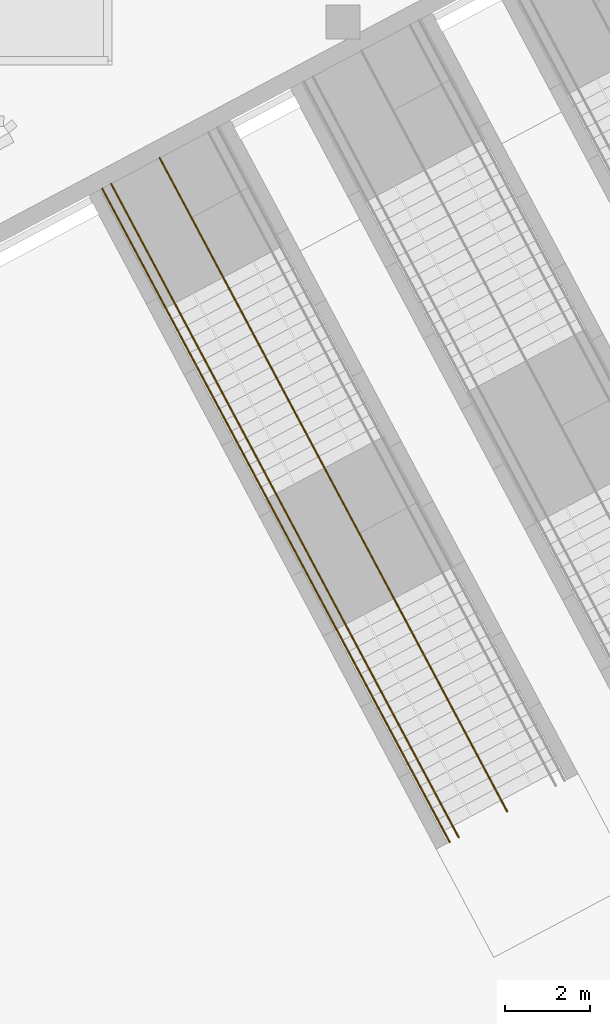
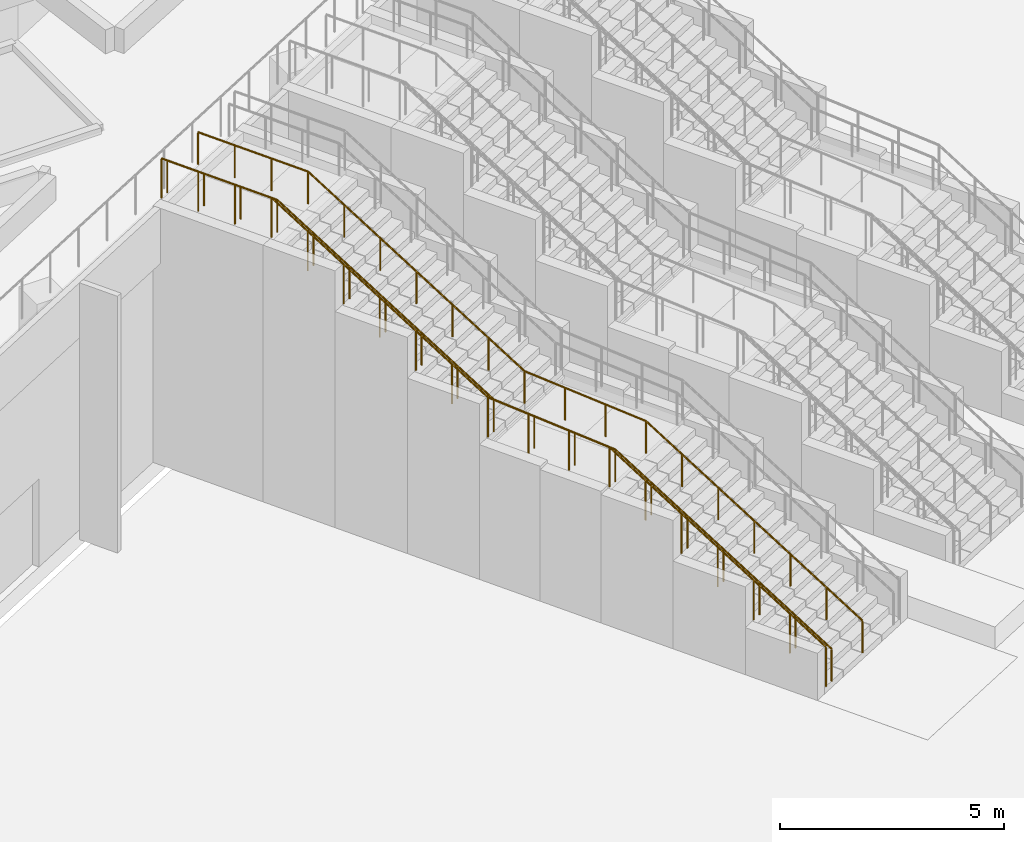
# One storey, part 46 of 57: 3 railings.
"""IFC4 building model written with IfcOpenShell, lengths in metres."""

import ifcopenshell
import ifcopenshell.guid

model = None  # the IFC model being written
_history = None  # IfcOwnerHistory: only IFC2X3 demands one
_inside = {}  # id of a spatial element -> (the spatial element, [elements in it])
_under = {}  # id of a project, library or spatial element -> (it, [spatial elements below it])
_declared = {}  # id of a project -> (the project, [libraries it declares])
_typed = {}  # id of a type object -> (the type object, [elements of that type])
_made_of = {}  # id of a material, layer set ... -> (it, [elements and type objects made of it])


def new_model(schema):
    """Start an empty IFC model of exactly this schema.

    Asked for "IFC4X3", IfcOpenShell would pick the latest addendum, in which some entities
    have other attributes; the version numbers below select the first issue.
    IFC2X3 requires an IfcOwnerHistory on every rooted entity: one is made here for all.
    """
    global model, _history
    if schema == "IFC4X3":
        model = ifcopenshell.file(schema_version=(4, 3, 0, 0))
    else:
        model = ifcopenshell.file(schema=schema)
    _inside.clear()
    _under.clear()
    _declared.clear()
    _typed.clear()
    _made_of.clear()
    _history = None
    if model.schema == "IFC2X3":
        org = make("IfcOrganization", Name="unknown")
        user = make(
            "IfcPersonAndOrganization",
            ThePerson=make("IfcPerson", FamilyName="unknown"),
            TheOrganization=org,
        )
        app = make(
            "IfcApplication",
            ApplicationDeveloper=org,
            Version="unknown",
            ApplicationFullName="unknown",
            ApplicationIdentifier="unknown",
        )
        _history = make(
            "IfcOwnerHistory",
            OwningUser=user,
            OwningApplication=app,
            ChangeAction="ADDED",
            CreationDate=0,
        )
    return model


def make(cls, **values):
    """One entity of the class cls with the attributes given. An attribute that is None is left unset."""
    return model.create_entity(
        cls, **{name: value for name, value in values.items() if value is not None}
    )


def rooted(cls, **values):
    """An entity with a GlobalId (a new one), such as an element, a storey or a relation."""
    return make(cls, GlobalId=ifcopenshell.guid.new(), OwnerHistory=_history, **values)


def si_unit(unit_type, name, prefix=None):
    """IfcSIUnit, for example si_unit("LENGTHUNIT", "METRE", prefix="MILLI")."""
    return make("IfcSIUnit", UnitType=unit_type, Prefix=prefix, Name=name)


def assignment(units):
    """IfcUnitAssignment: the units of a project."""
    return None if units is None else make("IfcUnitAssignment", Units=units)


def point(xyz):
    """IfcCartesianPoint."""
    return None if xyz is None else make("IfcCartesianPoint", Coordinates=xyz)


def direction(xyz):
    """IfcDirection."""
    return None if xyz is None else make("IfcDirection", DirectionRatios=xyz)


def frame(location, z_axis=None, x_axis=None):
    """IfcAxis2Placement3D, a coordinate frame: its origin and axes. An axis left out is left unset."""
    return make(
        "IfcAxis2Placement3D",
        Location=point(location),
        Axis=direction(z_axis),
        RefDirection=direction(x_axis),
    )


def origin():
    """The frame at (0, 0, 0) with its axes left unset."""
    return frame((0.0, 0.0, 0.0))


def place(relative_to, where):
    """IfcLocalPlacement: puts the frame where relative to a parent placement (None: the world)."""
    return make(
        "IfcLocalPlacement", PlacementRelTo=relative_to, RelativePlacement=where
    )


def context(
    kind, dimensions, precision=None, world=None, true_north=None, identifier=None
):
    """IfcGeometricRepresentationContext, for example the 3D "Model" context."""
    return make(
        "IfcGeometricRepresentationContext",
        ContextIdentifier=identifier,
        ContextType=kind,
        CoordinateSpaceDimension=dimensions,
        Precision=precision,
        WorldCoordinateSystem=world,
        TrueNorth=true_north,
    )


def subcontext(parent, identifier, kind, view, scale=None):
    """IfcGeometricRepresentationSubContext, for example "Body" below "Model"."""
    return make(
        "IfcGeometricRepresentationSubContext",
        ContextIdentifier=identifier,
        ContextType=kind,
        ParentContext=parent,
        TargetScale=scale,
        TargetView=view,
    )


def project(units=None, contexts=None):
    """IfcProject with its units and contexts."""
    return rooted(
        "IfcProject",
        Name="project",
        RepresentationContexts=contexts,
        UnitsInContext=assignment(units),
    )


def spatial(cls, under=None, at=None, **own):
    """A site, building, storey or space (cls), placed at a placement, below another one or the project."""
    s = rooted(cls, ObjectPlacement=at, **own)
    if under is not None:
        _under.setdefault(under.id(), (under, []))[1].append(s)
    return s


def polyline(points):
    """IfcPolyline through the points."""
    return make("IfcPolyline", Points=[point(p) for p in points])


def outline(outer, holes=None, kind="AREA"):
    """IfcArbitraryClosedProfileDef: a profile drawn as a closed curve; with holes, ...WithVoids."""
    if holes is None:
        return make("IfcArbitraryClosedProfileDef", ProfileType=kind, OuterCurve=outer)
    return make(
        "IfcArbitraryProfileDefWithVoids",
        ProfileType=kind,
        OuterCurve=outer,
        InnerCurves=holes,
    )


def extrude(swept, where, along, depth):
    """IfcExtrudedAreaSolid: the profile swept, set in the frame where, extruded along a direction by depth."""
    return make(
        "IfcExtrudedAreaSolid",
        SweptArea=swept,
        Position=where,
        ExtrudedDirection=direction(along),
        Depth=depth,
    )


def shape(context_of_items, identifier, shape_type, items):
    """IfcShapeRepresentation: the items that make up one representation, for example the "Body"."""
    return make(
        "IfcShapeRepresentation",
        ContextOfItems=context_of_items,
        RepresentationIdentifier=identifier,
        RepresentationType=shape_type,
        Items=items,
    )


def material(Name=None, Category=None):
    """IfcMaterial."""
    return make("IfcMaterial", Name=Name, Category=Category)


def made_of(thing, what):
    """Note that an element or type object is made of a material, layer set ...; save() writes the relation."""
    if what is not None:
        _made_of.setdefault(what.id(), (what, []))[1].append(thing)
    return thing


def type_object(cls, material=None, **own):
    """A type object (cls), such as IfcWallType, which elements share."""
    return made_of(rooted(cls, **own), material)


def element(
    cls,
    number,
    at=None,
    inside=None,
    cuts=None,
    type_object=None,
    material=None,
    context=None,
    identifier="Body",
    shape_type=None,
    held_by="IfcProductDefinitionShape",
    body=None,
    shapes=None,
    **own,
):
    """One element of the class cls, such as IfcWall. Its Tag is "e" and its number.

    at: its placement. inside: the storey or other place that contains it. cuts: it is an
    opening in that element (IfcRelVoidsElement). A single representation is given by context,
    identifier, shape_type and body (its items); several are given by shapes. held_by: the class
    of the entity that holds the representations. save() writes the other relations.
    """
    e = rooted(cls, Tag="e%d" % number, ObjectPlacement=at, **own)
    if body is not None:
        shapes = [shape(context, identifier, shape_type, body)]
    if shapes is not None:
        e.Representation = make(held_by, Representations=shapes)
    if inside is not None:
        _inside.setdefault(inside.id(), (inside, []))[1].append(e)
    if cuts is not None:
        rooted(
            "IfcRelVoidsElement", RelatingBuildingElement=cuts, RelatedOpeningElement=e
        )
    if type_object is not None:
        _typed.setdefault(type_object.id(), (type_object, []))[1].append(e)
    return made_of(e, material)


def aggregate(whole, parts):
    """IfcRelAggregates: a whole, such as a stair, and the parts it consists of."""
    return rooted("IfcRelAggregates", RelatingObject=whole, RelatedObjects=parts)


def save(model, path):
    """Write the relations noted so far, then the file.

    IfcRelAggregates (storeys below a building ...), IfcRelContainedInSpatialStructure (elements
    in a storey), IfcRelDefinesByType, IfcRelAssociatesMaterial and IfcRelDeclares: one each for
    every whole, place, type object, material and project.
    """
    for whole, parts in _under.values():
        aggregate(whole, parts)
    for where, things in _inside.values():
        rooted(
            "IfcRelContainedInSpatialStructure",
            RelatedElements=things,
            RelatingStructure=where,
        )
    for kind, things in _typed.values():
        rooted("IfcRelDefinesByType", RelatedObjects=things, RelatingType=kind)
    for what, things in _made_of.values():
        rooted("IfcRelAssociatesMaterial", RelatedObjects=things, RelatingMaterial=what)
    for by, libraries in _declared.values():
        rooted("IfcRelDeclares", RelatingContext=by, RelatedDefinitions=libraries)
    model.write(path)


model = new_model("IFC4")

# Units and contexts
model_context = context("Model", 3, precision=1e-05, world=origin(), true_north=direction((0.0, 1.0)))
body_context = subcontext(model_context, "Body", "Model", "MODEL_VIEW")
ifc_project = project(units=[si_unit("LENGTHUNIT", "METRE"), si_unit("AREAUNIT", "SQUARE_METRE"), si_unit("VOLUMEUNIT", "CUBIC_METRE"), si_unit("PLANEANGLEUNIT", "RADIAN"), si_unit("MASSUNIT", "GRAM", prefix="KILO")], contexts=[model_context])

# Site, building, storey
site_placement = place(None, origin())
site = spatial("IfcSite", under=ifc_project, at=site_placement, CompositionType="ELEMENT")
building_placement = place(site_placement, origin())
building = spatial("IfcBuilding", under=site, at=building_placement, Name="Cormorant Relay Tower", CompositionType="ELEMENT")
storey_placement = place(building_placement, origin())
storey = spatial("IfcBuildingStorey", under=building, at=storey_placement, Name="L00", CompositionType="ELEMENT", Elevation=0.0)

# Railings
ifc_material_1 = material(Name="Stainless steel 316", Category="steel")
railing_type_1 = type_object("IfcRailingType", Name="Podium stair handrail 900", PredefinedType="HANDRAIL", material=ifc_material_1)
railing_1_placement = place(storey_placement, frame((37.306884765625, -17.538330078125, 7.0)))
element("IfcRailing", 1, at=railing_1_placement, inside=storey, type_object=railing_type_1, Name="Stair handrail", PredefinedType="HANDRAIL", context=body_context, shape_type="SweptSolid", body=[
    extrude(outline(polyline([(0.022216796875, 0.00927734375), (0.00927734375, 0.022216796875), (-0.00927734375, 0.022216796875), (-0.022216796875, 0.00927734375), (-0.022216796875, -0.00927734375), (-0.00927734375, -0.022216796875), (0.00927734375, -0.022216796875), (0.022216796875, -0.00927734375), (0.022216796875, 0.00927734375)])), frame((0.0, 0.0, 0.8759765625), z_axis=(0.469499880774, -0.882932535335, 0.0), x_axis=(0.882932535335, 0.469499880774, 0.0)), (0.0, 0.0, 1.0), 2.900146484375),
    extrude(outline(polyline([(0.022216796875, 0.00927734375), (0.00927734375, 0.022216796875), (-0.00927734375, 0.022216796875), (-0.022216796875, 0.00927734375), (-0.022216796875, -0.00927734375), (-0.00927734375, -0.022216796875), (0.00927734375, -0.022216796875), (0.022216796875, -0.00927734375), (0.022216796875, 0.00927734375)])), frame((1.361572265625, -2.560546875, 0.8759765625), z_axis=(0.40552993965, -0.762667108471, -0.50386937762), x_axis=(0.882941524652, 0.469482975245, 0.0)), (0.0, 0.0, 1.0), 6.598876953125),
    extrude(outline(polyline([(0.022216796875, 0.00927734375), (0.00927734375, 0.022216796875), (-0.00927734375, 0.022216796875), (-0.022216796875, 0.00927734375), (-0.022216796875, -0.00927734375), (-0.00927734375, -0.022216796875), (0.00927734375, -0.022216796875), (0.022216796875, -0.00927734375), (0.022216796875, 0.00927734375)])), frame((4.03759765625, -7.59326171875, -2.44921875), z_axis=(0.468742586737, -0.881644394004, -0.054621881146), x_axis=(0.88296255937, 0.469443413791, 0.0)), (0.0, 0.0, 1.0), 3.204833984375),
    extrude(outline(polyline([(0.022216796875, 0.00927734375), (0.00927734375, 0.022216796875), (-0.00927734375, 0.022216796875), (-0.022216796875, 0.00927734375), (-0.022216796875, -0.00927734375), (-0.00927734375, -0.022216796875), (0.00927734375, -0.022216796875), (0.022216796875, -0.00927734375), (0.022216796875, 0.00927734375)])), frame((5.539794921875, -10.418701171875, -2.6240234375), z_axis=(0.4055184971, -0.762682585322, -0.503855160296), x_axis=(0.882950964929, 0.46946522079, 0.0)), (0.0, 0.0, 1.0), 6.59912109375),
    extrude(outline(polyline([(0.019287109375, 0.008056640625), (0.008056640625, 0.019287109375), (-0.008056640625, 0.019287109375), (-0.019287109375, 0.008056640625), (-0.019287109375, -0.008056640625), (-0.008056640625, -0.019287109375), (0.008056640625, -0.019287109375), (0.019287109375, -0.008056640625), (0.019287109375, 0.008056640625)])), origin(), (0.0, 0.0, 1.0), 0.851806640625),
    extrude(outline(polyline([(0.019287109375, 0.008056640625), (0.008056640625, 0.019287109375), (-0.008056640625, 0.019287109375), (-0.019287109375, 0.008056640625), (-0.019287109375, -0.008056640625), (-0.008056640625, -0.019287109375), (0.008056640625, -0.019287109375), (0.019287109375, -0.008056640625), (0.019287109375, 0.008056640625)])), frame((0.453857421875, -0.853515625, 0.0)), (0.0, 0.0, 1.0), 0.851806640625),
    extrude(outline(polyline([(0.019287109375, 0.008056640625), (0.008056640625, 0.019287109375), (-0.008056640625, 0.019287109375), (-0.019287109375, 0.008056640625), (-0.019287109375, -0.008056640625), (-0.008056640625, -0.019287109375), (0.008056640625, -0.019287109375), (0.019287109375, -0.008056640625), (0.019287109375, 0.008056640625)])), frame((0.90771484375, -1.70703125, 0.0)), (0.0, 0.0, 1.0), 0.851806640625),
    extrude(outline(polyline([(0.019287109375, 0.008056640625), (0.008056640625, 0.019287109375), (-0.008056640625, 0.019287109375), (-0.019287109375, 0.008056640625), (-0.019287109375, -0.008056640625), (-0.008056640625, -0.019287109375), (0.008056640625, -0.019287109375), (0.019287109375, -0.008056640625), (0.019287109375, 0.008056640625)])), frame((1.361572265625, -2.560546875, 0.0)), (0.0, 0.0, 1.0), 0.851806640625),
    extrude(outline(polyline([(0.019287109375, 0.008056640625), (0.008056640625, 0.019287109375), (-0.008056640625, 0.019287109375), (-0.019287109375, 0.008056640625), (-0.019287109375, -0.008056640625), (-0.008056640625, -0.019287109375), (0.008056640625, -0.019287109375), (0.019287109375, -0.008056640625), (0.019287109375, 0.008056640625)])), frame((1.8076171875, -3.3994140625, -0.55419921875)), (0.0, 0.0, 1.0), 0.851806640625),
    extrude(outline(polyline([(0.019287109375, 0.008056640625), (0.008056640625, 0.019287109375), (-0.008056640625, 0.019287109375), (-0.019287109375, 0.008056640625), (-0.019287109375, -0.008056640625), (-0.008056640625, -0.019287109375), (0.008056640625, -0.019287109375), (0.019287109375, -0.008056640625), (0.019287109375, 0.008056640625)])), frame((2.253662109375, -4.238037109375, -1.1083984375)), (0.0, 0.0, 1.0), 0.851806640625),
    extrude(outline(polyline([(0.019287109375, 0.008056640625), (0.008056640625, 0.019287109375), (-0.008056640625, 0.019287109375), (-0.019287109375, 0.008056640625), (-0.019287109375, -0.008056640625), (-0.008056640625, -0.019287109375), (0.008056640625, -0.019287109375), (0.019287109375, -0.008056640625), (0.019287109375, 0.008056640625)])), frame((2.69970703125, -5.076904296875, -1.66259765625)), (0.0, 0.0, 1.0), 0.851806640625),
    extrude(outline(polyline([(0.019287109375, 0.008056640625), (0.008056640625, 0.019287109375), (-0.008056640625, 0.019287109375), (-0.019287109375, 0.008056640625), (-0.019287109375, -0.008056640625), (-0.008056640625, -0.019287109375), (0.008056640625, -0.019287109375), (0.019287109375, -0.008056640625), (0.019287109375, 0.008056640625)])), frame((3.1455078125, -5.915771484375, -2.216552734375)), (0.0, 0.0, 1.0), 0.851806640625),
    extrude(outline(polyline([(0.019287109375, 0.008056640625), (0.008056640625, 0.019287109375), (-0.008056640625, 0.019287109375), (-0.019287109375, 0.008056640625), (-0.019287109375, -0.008056640625), (-0.008056640625, -0.019287109375), (0.008056640625, -0.019287109375), (0.019287109375, -0.008056640625), (0.019287109375, 0.008056640625)])), frame((3.591552734375, -6.75439453125, -2.770751953125)), (0.0, 0.0, 1.0), 0.851806640625),
    extrude(outline(polyline([(0.019287109375, 0.008056640625), (0.008056640625, 0.019287109375), (-0.008056640625, 0.019287109375), (-0.019287109375, 0.008056640625), (-0.019287109375, -0.008056640625), (-0.008056640625, -0.019287109375), (0.008056640625, -0.019287109375), (0.019287109375, -0.008056640625), (0.019287109375, 0.008056640625)])), frame((4.03759765625, -7.59326171875, -3.324951171875)), (0.0, 0.0, 1.0), 0.851806640625),
    extrude(outline(polyline([(0.019287109375, 0.008056640625), (0.008056640625, 0.019287109375), (-0.008056640625, 0.019287109375), (-0.019287109375, 0.008056640625), (-0.019287109375, -0.008056640625), (-0.008056640625, -0.019287109375), (0.008056640625, -0.019287109375), (0.019287109375, -0.008056640625), (0.019287109375, 0.008056640625)])), frame((4.538330078125, -8.53515625, -3.38330078125)), (0.0, 0.0, 1.0), 0.851806640625),
    extrude(outline(polyline([(0.019287109375, 0.008056640625), (0.008056640625, 0.019287109375), (-0.008056640625, 0.019287109375), (-0.019287109375, 0.008056640625), (-0.019287109375, -0.008056640625), (-0.008056640625, -0.019287109375), (0.008056640625, -0.019287109375), (0.019287109375, -0.008056640625), (0.019287109375, 0.008056640625)])), frame((5.0390625, -9.476806640625, -3.441650390625)), (0.0, 0.0, 1.0), 0.851806640625),
    extrude(outline(polyline([(0.019287109375, 0.008056640625), (0.008056640625, 0.019287109375), (-0.008056640625, 0.019287109375), (-0.019287109375, 0.008056640625), (-0.019287109375, -0.008056640625), (-0.008056640625, -0.019287109375), (0.008056640625, -0.019287109375), (0.019287109375, -0.008056640625), (0.019287109375, 0.008056640625)])), frame((5.539794921875, -10.418701171875, -3.5)), (0.0, 0.0, 1.0), 0.851806640625),
    extrude(outline(polyline([(0.019287109375, 0.008056640625), (0.008056640625, 0.019287109375), (-0.008056640625, 0.019287109375), (-0.019287109375, 0.008056640625), (-0.019287109375, -0.008056640625), (-0.008056640625, -0.019287109375), (0.008056640625, -0.019287109375), (0.019287109375, -0.008056640625), (0.019287109375, 0.008056640625)])), frame((5.98583984375, -11.257568359375, -4.05419921875)), (0.0, 0.0, 1.0), 0.851806640625),
    extrude(outline(polyline([(0.019287109375, 0.008056640625), (0.008056640625, 0.019287109375), (-0.008056640625, 0.019287109375), (-0.019287109375, 0.008056640625), (-0.019287109375, -0.008056640625), (-0.008056640625, -0.019287109375), (0.008056640625, -0.019287109375), (0.019287109375, -0.008056640625), (0.019287109375, 0.008056640625)])), frame((6.431884765625, -12.096435546875, -4.6083984375)), (0.0, 0.0, 1.0), 0.851806640625),
    extrude(outline(polyline([(0.019287109375, 0.008056640625), (0.008056640625, 0.019287109375), (-0.008056640625, 0.019287109375), (-0.019287109375, 0.008056640625), (-0.019287109375, -0.008056640625), (-0.008056640625, -0.019287109375), (0.008056640625, -0.019287109375), (0.019287109375, -0.008056640625), (0.019287109375, 0.008056640625)])), frame((6.8779296875, -12.93505859375, -5.16259765625)), (0.0, 0.0, 1.0), 0.851806640625),
    extrude(outline(polyline([(0.019287109375, 0.008056640625), (0.008056640625, 0.019287109375), (-0.008056640625, 0.019287109375), (-0.019287109375, 0.008056640625), (-0.019287109375, -0.008056640625), (-0.008056640625, -0.019287109375), (0.008056640625, -0.019287109375), (0.019287109375, -0.008056640625), (0.019287109375, 0.008056640625)])), frame((7.32373046875, -13.77392578125, -5.716552734375)), (0.0, 0.0, 1.0), 0.851806640625),
    extrude(outline(polyline([(0.019287109375, 0.008056640625), (0.008056640625, 0.019287109375), (-0.008056640625, 0.019287109375), (-0.019287109375, 0.008056640625), (-0.019287109375, -0.008056640625), (-0.008056640625, -0.019287109375), (0.008056640625, -0.019287109375), (0.019287109375, -0.008056640625), (0.019287109375, 0.008056640625)])), frame((7.769775390625, -14.61279296875, -6.270751953125)), (0.0, 0.0, 1.0), 0.851806640625),
    extrude(outline(polyline([(0.019287109375, 0.008056640625), (0.008056640625, 0.019287109375), (-0.008056640625, 0.019287109375), (-0.019287109375, 0.008056640625), (-0.019287109375, -0.008056640625), (-0.008056640625, -0.019287109375), (0.008056640625, -0.019287109375), (0.019287109375, -0.008056640625), (0.019287109375, 0.008056640625)])), frame((8.2158203125, -15.45166015625, -6.824951171875)), (0.0, 0.0, 1.0), 0.851806640625),
])
railing_2_placement = place(storey_placement, frame((38.454833984375, -16.927978515625, 7.0)))
element("IfcRailing", 2, at=railing_2_placement, inside=storey, type_object=railing_type_1, Name="Stair handrail", PredefinedType="HANDRAIL", context=body_context, shape_type="SweptSolid", body=[
    extrude(outline(polyline([(0.022216796875, 0.00927734375), (0.00927734375, 0.022216796875), (-0.00927734375, 0.022216796875), (-0.022216796875, 0.00927734375), (-0.022216796875, -0.00927734375), (-0.00927734375, -0.022216796875), (0.00927734375, -0.022216796875), (0.022216796875, -0.00927734375), (0.022216796875, 0.00927734375)])), frame((0.0, 0.0, 0.8759765625), z_axis=(0.469499880774, -0.882932535335, 0.0), x_axis=(0.882932535335, 0.469499880774, 0.0)), (0.0, 0.0, 1.0), 2.900146484375),
    extrude(outline(polyline([(0.022216796875, 0.00927734375), (0.00927734375, 0.022216796875), (-0.00927734375, 0.022216796875), (-0.022216796875, 0.00927734375), (-0.022216796875, -0.00927734375), (-0.00927734375, -0.022216796875), (0.00927734375, -0.022216796875), (0.022216796875, -0.00927734375), (0.022216796875, 0.00927734375)])), frame((1.361572265625, -2.560546875, 0.8759765625), z_axis=(0.405487583814, -0.762694027401, -0.503862719339), x_axis=(0.882968718533, 0.469431829014, 0.0)), (0.0, 0.0, 1.0), 6.598876953125),
    extrude(outline(polyline([(0.022216796875, 0.00927734375), (0.00927734375, 0.022216796875), (-0.00927734375, 0.022216796875), (-0.022216796875, 0.00927734375), (-0.022216796875, -0.00927734375), (-0.00927734375, -0.022216796875), (0.00927734375, -0.022216796875), (0.022216796875, -0.00927734375), (0.022216796875, 0.00927734375)])), frame((4.037353515625, -7.593505859375, -2.44921875), z_axis=(0.468833512707, -0.881595939072, -0.054623599059), x_axis=(0.882914115089, 0.469534519898, 0.0)), (0.0, 0.0, 1.0), 3.20458984375),
    extrude(outline(polyline([(0.022216796875, 0.00927734375), (0.00927734375, 0.022216796875), (-0.00927734375, 0.022216796875), (-0.022216796875, 0.00927734375), (-0.022216796875, -0.00927734375), (-0.00927734375, -0.022216796875), (0.00927734375, -0.022216796875), (0.022216796875, -0.00927734375), (0.022216796875, 0.00927734375)])), frame((5.539794921875, -10.418701171875, -2.6240234375), z_axis=(0.4055184971, -0.762682585322, -0.503855160296), x_axis=(0.882950964929, 0.46946522079, 0.0)), (0.0, 0.0, 1.0), 6.59912109375),
    extrude(outline(polyline([(0.019287109375, 0.008056640625), (0.008056640625, 0.019287109375), (-0.008056640625, 0.019287109375), (-0.019287109375, 0.008056640625), (-0.019287109375, -0.008056640625), (-0.008056640625, -0.019287109375), (0.008056640625, -0.019287109375), (0.019287109375, -0.008056640625), (0.019287109375, 0.008056640625)])), origin(), (0.0, 0.0, 1.0), 0.851806640625),
    extrude(outline(polyline([(0.019287109375, 0.008056640625), (0.008056640625, 0.019287109375), (-0.008056640625, 0.019287109375), (-0.019287109375, 0.008056640625), (-0.019287109375, -0.008056640625), (-0.008056640625, -0.019287109375), (0.008056640625, -0.019287109375), (0.019287109375, -0.008056640625), (0.019287109375, 0.008056640625)])), frame((0.453857421875, -0.853515625, 0.0)), (0.0, 0.0, 1.0), 0.851806640625),
    extrude(outline(polyline([(0.019287109375, 0.008056640625), (0.008056640625, 0.019287109375), (-0.008056640625, 0.019287109375), (-0.019287109375, 0.008056640625), (-0.019287109375, -0.008056640625), (-0.008056640625, -0.019287109375), (0.008056640625, -0.019287109375), (0.019287109375, -0.008056640625), (0.019287109375, 0.008056640625)])), frame((0.90771484375, -1.70703125, 0.0)), (0.0, 0.0, 1.0), 0.851806640625),
    extrude(outline(polyline([(0.019287109375, 0.008056640625), (0.008056640625, 0.019287109375), (-0.008056640625, 0.019287109375), (-0.019287109375, 0.008056640625), (-0.019287109375, -0.008056640625), (-0.008056640625, -0.019287109375), (0.008056640625, -0.019287109375), (0.019287109375, -0.008056640625), (0.019287109375, 0.008056640625)])), frame((1.361572265625, -2.560546875, 0.0)), (0.0, 0.0, 1.0), 0.851806640625),
    extrude(outline(polyline([(0.019287109375, 0.008056640625), (0.008056640625, 0.019287109375), (-0.008056640625, 0.019287109375), (-0.019287109375, 0.008056640625), (-0.019287109375, -0.008056640625), (-0.008056640625, -0.019287109375), (0.008056640625, -0.019287109375), (0.019287109375, -0.008056640625), (0.019287109375, 0.008056640625)])), frame((1.8076171875, -3.3994140625, -0.55419921875)), (0.0, 0.0, 1.0), 0.851806640625),
    extrude(outline(polyline([(0.019287109375, 0.008056640625), (0.008056640625, 0.019287109375), (-0.008056640625, 0.019287109375), (-0.019287109375, 0.008056640625), (-0.019287109375, -0.008056640625), (-0.008056640625, -0.019287109375), (0.008056640625, -0.019287109375), (0.019287109375, -0.008056640625), (0.019287109375, 0.008056640625)])), frame((2.25341796875, -4.23828125, -1.1083984375)), (0.0, 0.0, 1.0), 0.851806640625),
    extrude(outline(polyline([(0.019287109375, 0.008056640625), (0.008056640625, 0.019287109375), (-0.008056640625, 0.019287109375), (-0.019287109375, 0.008056640625), (-0.019287109375, -0.008056640625), (-0.008056640625, -0.019287109375), (0.008056640625, -0.019287109375), (0.019287109375, -0.008056640625), (0.019287109375, 0.008056640625)])), frame((2.699462890625, -5.0771484375, -1.66259765625)), (0.0, 0.0, 1.0), 0.851806640625),
    extrude(outline(polyline([(0.019287109375, 0.008056640625), (0.008056640625, 0.019287109375), (-0.008056640625, 0.019287109375), (-0.019287109375, 0.008056640625), (-0.019287109375, -0.008056640625), (-0.008056640625, -0.019287109375), (0.008056640625, -0.019287109375), (0.019287109375, -0.008056640625), (0.019287109375, 0.008056640625)])), frame((3.1455078125, -5.915771484375, -2.216552734375)), (0.0, 0.0, 1.0), 0.851806640625),
    extrude(outline(polyline([(0.019287109375, 0.008056640625), (0.008056640625, 0.019287109375), (-0.008056640625, 0.019287109375), (-0.019287109375, 0.008056640625), (-0.019287109375, -0.008056640625), (-0.008056640625, -0.019287109375), (0.008056640625, -0.019287109375), (0.019287109375, -0.008056640625), (0.019287109375, 0.008056640625)])), frame((3.59130859375, -6.754638671875, -2.770751953125)), (0.0, 0.0, 1.0), 0.851806640625),
    extrude(outline(polyline([(0.019287109375, 0.008056640625), (0.008056640625, 0.019287109375), (-0.008056640625, 0.019287109375), (-0.019287109375, 0.008056640625), (-0.019287109375, -0.008056640625), (-0.008056640625, -0.019287109375), (0.008056640625, -0.019287109375), (0.019287109375, -0.008056640625), (0.019287109375, 0.008056640625)])), frame((4.037353515625, -7.593505859375, -3.324951171875)), (0.0, 0.0, 1.0), 0.851806640625),
    extrude(outline(polyline([(0.019287109375, 0.008056640625), (0.008056640625, 0.019287109375), (-0.008056640625, 0.019287109375), (-0.019287109375, 0.008056640625), (-0.019287109375, -0.008056640625), (-0.008056640625, -0.019287109375), (0.008056640625, -0.019287109375), (0.019287109375, -0.008056640625), (0.019287109375, 0.008056640625)])), frame((4.5380859375, -8.53515625, -3.38330078125)), (0.0, 0.0, 1.0), 0.851806640625),
    extrude(outline(polyline([(0.019287109375, 0.008056640625), (0.008056640625, 0.019287109375), (-0.008056640625, 0.019287109375), (-0.019287109375, 0.008056640625), (-0.019287109375, -0.008056640625), (-0.008056640625, -0.019287109375), (0.008056640625, -0.019287109375), (0.019287109375, -0.008056640625), (0.019287109375, 0.008056640625)])), frame((5.0390625, -9.47705078125, -3.441650390625)), (0.0, 0.0, 1.0), 0.851806640625),
    extrude(outline(polyline([(0.019287109375, 0.008056640625), (0.008056640625, 0.019287109375), (-0.008056640625, 0.019287109375), (-0.019287109375, 0.008056640625), (-0.019287109375, -0.008056640625), (-0.008056640625, -0.019287109375), (0.008056640625, -0.019287109375), (0.019287109375, -0.008056640625), (0.019287109375, 0.008056640625)])), frame((5.539794921875, -10.418701171875, -3.5)), (0.0, 0.0, 1.0), 0.851806640625),
    extrude(outline(polyline([(0.019287109375, 0.008056640625), (0.008056640625, 0.019287109375), (-0.008056640625, 0.019287109375), (-0.019287109375, 0.008056640625), (-0.019287109375, -0.008056640625), (-0.008056640625, -0.019287109375), (0.008056640625, -0.019287109375), (0.019287109375, -0.008056640625), (0.019287109375, 0.008056640625)])), frame((5.98583984375, -11.257568359375, -4.05419921875)), (0.0, 0.0, 1.0), 0.851806640625),
    extrude(outline(polyline([(0.019287109375, 0.008056640625), (0.008056640625, 0.019287109375), (-0.008056640625, 0.019287109375), (-0.019287109375, 0.008056640625), (-0.019287109375, -0.008056640625), (-0.008056640625, -0.019287109375), (0.008056640625, -0.019287109375), (0.019287109375, -0.008056640625), (0.019287109375, 0.008056640625)])), frame((6.431884765625, -12.096435546875, -4.6083984375)), (0.0, 0.0, 1.0), 0.851806640625),
    extrude(outline(polyline([(0.019287109375, 0.008056640625), (0.008056640625, 0.019287109375), (-0.008056640625, 0.019287109375), (-0.019287109375, 0.008056640625), (-0.019287109375, -0.008056640625), (-0.008056640625, -0.019287109375), (0.008056640625, -0.019287109375), (0.019287109375, -0.008056640625), (0.019287109375, 0.008056640625)])), frame((6.8779296875, -12.93505859375, -5.16259765625)), (0.0, 0.0, 1.0), 0.851806640625),
    extrude(outline(polyline([(0.019287109375, 0.008056640625), (0.008056640625, 0.019287109375), (-0.008056640625, 0.019287109375), (-0.019287109375, 0.008056640625), (-0.019287109375, -0.008056640625), (-0.008056640625, -0.019287109375), (0.008056640625, -0.019287109375), (0.019287109375, -0.008056640625), (0.019287109375, 0.008056640625)])), frame((7.32373046875, -13.77392578125, -5.716552734375)), (0.0, 0.0, 1.0), 0.851806640625),
    extrude(outline(polyline([(0.019287109375, 0.008056640625), (0.008056640625, 0.019287109375), (-0.008056640625, 0.019287109375), (-0.019287109375, 0.008056640625), (-0.019287109375, -0.008056640625), (-0.008056640625, -0.019287109375), (0.008056640625, -0.019287109375), (0.019287109375, -0.008056640625), (0.019287109375, 0.008056640625)])), frame((7.769775390625, -14.61279296875, -6.270751953125)), (0.0, 0.0, 1.0), 0.851806640625),
    extrude(outline(polyline([(0.019287109375, 0.008056640625), (0.008056640625, 0.019287109375), (-0.008056640625, 0.019287109375), (-0.019287109375, 0.008056640625), (-0.019287109375, -0.008056640625), (-0.008056640625, -0.019287109375), (0.008056640625, -0.019287109375), (0.019287109375, -0.008056640625), (0.019287109375, 0.008056640625)])), frame((8.2158203125, -15.45166015625, -6.824951171875)), (0.0, 0.0, 1.0), 0.851806640625),
])
ifc_material_2 = material(Name="Bronze anodised aluminium", Category="aluminium")
railing_type_2 = type_object("IfcRailingType", Name="Stair guard steel 1100", PredefinedType="GUARDRAIL", material=ifc_material_2)
railing_3_placement = place(storey_placement, frame((37.09521484375, -17.65087890625, 7.0)))
element("IfcRailing", 3, at=railing_3_placement, inside=storey, type_object=railing_type_2, Name="Stair guard", PredefinedType="GUARDRAIL", context=body_context, shape_type="SweptSolid", body=[
    extrude(outline(polyline([(0.022216796875, 0.00927734375), (0.00927734375, 0.022216796875), (-0.00927734375, 0.022216796875), (-0.022216796875, 0.00927734375), (-0.022216796875, -0.00927734375), (-0.00927734375, -0.022216796875), (0.00927734375, -0.022216796875), (0.022216796875, -0.00927734375), (0.022216796875, 0.00927734375)])), frame((0.0, 0.0, 1.076171875), z_axis=(0.469399355339, -0.882985982452, 0.0), x_axis=(0.882985982452, 0.469399355339, 0.0)), (0.0, 0.0, 1.0), 2.900146484375),
    extrude(outline(polyline([(0.022216796875, 0.00927734375), (0.00927734375, 0.022216796875), (-0.00927734375, 0.022216796875), (-0.022216796875, 0.00927734375), (-0.022216796875, -0.00927734375), (-0.00927734375, -0.022216796875), (0.00927734375, -0.022216796875), (0.022216796875, -0.00927734375), (0.022216796875, 0.00927734375)])), frame((1.361328125, -2.560791015625, 1.076171875), z_axis=(0.40552993965, -0.762667108471, -0.50386937762), x_axis=(0.882941524652, 0.469482975245, 0.0)), (0.0, 0.0, 1.0), 6.598876953125),
    extrude(outline(polyline([(0.022216796875, 0.00927734375), (0.00927734375, 0.022216796875), (-0.00927734375, 0.022216796875), (-0.022216796875, 0.00927734375), (-0.022216796875, -0.00927734375), (-0.00927734375, -0.022216796875), (0.00927734375, -0.022216796875), (0.022216796875, -0.00927734375), (0.022216796875, 0.00927734375)])), frame((4.037353515625, -7.593505859375, -2.2490234375), z_axis=(0.468742586737, -0.881644394004, -0.054621881146), x_axis=(0.88296255937, 0.469443413791, 0.0)), (0.0, 0.0, 1.0), 3.204833984375),
    extrude(outline(polyline([(0.022216796875, 0.00927734375), (0.00927734375, 0.022216796875), (-0.00927734375, 0.022216796875), (-0.022216796875, 0.00927734375), (-0.022216796875, -0.00927734375), (-0.00927734375, -0.022216796875), (0.00927734375, -0.022216796875), (0.022216796875, -0.00927734375), (0.022216796875, 0.00927734375)])), frame((5.53955078125, -10.4189453125, -2.423828125), z_axis=(0.40552993965, -0.762667108471, -0.50386937762), x_axis=(0.882941524652, 0.469482975245, 0.0)), (0.0, 0.0, 1.0), 6.598876953125),
    extrude(outline(polyline([(0.019287109375, 0.008056640625), (0.008056640625, 0.019287109375), (-0.008056640625, 0.019287109375), (-0.019287109375, 0.008056640625), (-0.019287109375, -0.008056640625), (-0.008056640625, -0.019287109375), (0.008056640625, -0.019287109375), (0.019287109375, -0.008056640625), (0.019287109375, 0.008056640625)])), origin(), (0.0, 0.0, 1.0), 1.052001953125),
    extrude(outline(polyline([(0.019287109375, 0.008056640625), (0.008056640625, 0.019287109375), (-0.008056640625, 0.019287109375), (-0.019287109375, 0.008056640625), (-0.019287109375, -0.008056640625), (-0.008056640625, -0.019287109375), (0.008056640625, -0.019287109375), (0.019287109375, -0.008056640625), (0.019287109375, 0.008056640625)])), frame((0.453857421875, -0.853515625, 0.0)), (0.0, 0.0, 1.0), 1.052001953125),
    extrude(outline(polyline([(0.019287109375, 0.008056640625), (0.008056640625, 0.019287109375), (-0.008056640625, 0.019287109375), (-0.019287109375, 0.008056640625), (-0.019287109375, -0.008056640625), (-0.008056640625, -0.019287109375), (0.008056640625, -0.019287109375), (0.019287109375, -0.008056640625), (0.019287109375, 0.008056640625)])), frame((0.907470703125, -1.707275390625, 0.0)), (0.0, 0.0, 1.0), 1.052001953125),
    extrude(outline(polyline([(0.019287109375, 0.008056640625), (0.008056640625, 0.019287109375), (-0.008056640625, 0.019287109375), (-0.019287109375, 0.008056640625), (-0.019287109375, -0.008056640625), (-0.008056640625, -0.019287109375), (0.008056640625, -0.019287109375), (0.019287109375, -0.008056640625), (0.019287109375, 0.008056640625)])), frame((1.361328125, -2.560791015625, 0.0)), (0.0, 0.0, 1.0), 1.052001953125),
    extrude(outline(polyline([(0.019287109375, 0.008056640625), (0.008056640625, 0.019287109375), (-0.008056640625, 0.019287109375), (-0.019287109375, 0.008056640625), (-0.019287109375, -0.008056640625), (-0.008056640625, -0.019287109375), (0.008056640625, -0.019287109375), (0.019287109375, -0.008056640625), (0.019287109375, 0.008056640625)])), frame((1.807373046875, -3.399658203125, -0.55419921875)), (0.0, 0.0, 1.0), 1.052001953125),
    extrude(outline(polyline([(0.019287109375, 0.008056640625), (0.008056640625, 0.019287109375), (-0.008056640625, 0.019287109375), (-0.019287109375, 0.008056640625), (-0.019287109375, -0.008056640625), (-0.008056640625, -0.019287109375), (0.008056640625, -0.019287109375), (0.019287109375, -0.008056640625), (0.019287109375, 0.008056640625)])), frame((2.25341796875, -4.23828125, -1.1083984375)), (0.0, 0.0, 1.0), 1.052001953125),
    extrude(outline(polyline([(0.019287109375, 0.008056640625), (0.008056640625, 0.019287109375), (-0.008056640625, 0.019287109375), (-0.019287109375, 0.008056640625), (-0.019287109375, -0.008056640625), (-0.008056640625, -0.019287109375), (0.008056640625, -0.019287109375), (0.019287109375, -0.008056640625), (0.019287109375, 0.008056640625)])), frame((2.69921875, -5.0771484375, -1.66259765625)), (0.0, 0.0, 1.0), 1.052001953125),
    extrude(outline(polyline([(0.019287109375, 0.008056640625), (0.008056640625, 0.019287109375), (-0.008056640625, 0.019287109375), (-0.019287109375, 0.008056640625), (-0.019287109375, -0.008056640625), (-0.008056640625, -0.019287109375), (0.008056640625, -0.019287109375), (0.019287109375, -0.008056640625), (0.019287109375, 0.008056640625)])), frame((3.145263671875, -5.916015625, -2.216552734375)), (0.0, 0.0, 1.0), 1.052001953125),
    extrude(outline(polyline([(0.019287109375, 0.008056640625), (0.008056640625, 0.019287109375), (-0.008056640625, 0.019287109375), (-0.019287109375, 0.008056640625), (-0.019287109375, -0.008056640625), (-0.008056640625, -0.019287109375), (0.008056640625, -0.019287109375), (0.019287109375, -0.008056640625), (0.019287109375, 0.008056640625)])), frame((3.59130859375, -6.754638671875, -2.770751953125)), (0.0, 0.0, 1.0), 1.052001953125),
    extrude(outline(polyline([(0.019287109375, 0.008056640625), (0.008056640625, 0.019287109375), (-0.008056640625, 0.019287109375), (-0.019287109375, 0.008056640625), (-0.019287109375, -0.008056640625), (-0.008056640625, -0.019287109375), (0.008056640625, -0.019287109375), (0.019287109375, -0.008056640625), (0.019287109375, 0.008056640625)])), frame((4.037353515625, -7.593505859375, -3.324951171875)), (0.0, 0.0, 1.0), 1.052001953125),
    extrude(outline(polyline([(0.019287109375, 0.008056640625), (0.008056640625, 0.019287109375), (-0.008056640625, 0.019287109375), (-0.019287109375, 0.008056640625), (-0.019287109375, -0.008056640625), (-0.008056640625, -0.019287109375), (0.008056640625, -0.019287109375), (0.019287109375, -0.008056640625), (0.019287109375, 0.008056640625)])), frame((4.5380859375, -8.535400390625, -3.38330078125)), (0.0, 0.0, 1.0), 1.052001953125),
    extrude(outline(polyline([(0.019287109375, 0.008056640625), (0.008056640625, 0.019287109375), (-0.008056640625, 0.019287109375), (-0.019287109375, 0.008056640625), (-0.019287109375, -0.008056640625), (-0.008056640625, -0.019287109375), (0.008056640625, -0.019287109375), (0.019287109375, -0.008056640625), (0.019287109375, 0.008056640625)])), frame((5.038818359375, -9.47705078125, -3.441650390625)), (0.0, 0.0, 1.0), 1.052001953125),
    extrude(outline(polyline([(0.019287109375, 0.008056640625), (0.008056640625, 0.019287109375), (-0.008056640625, 0.019287109375), (-0.019287109375, 0.008056640625), (-0.019287109375, -0.008056640625), (-0.008056640625, -0.019287109375), (0.008056640625, -0.019287109375), (0.019287109375, -0.008056640625), (0.019287109375, 0.008056640625)])), frame((5.53955078125, -10.4189453125, -3.5)), (0.0, 0.0, 1.0), 1.052001953125),
    extrude(outline(polyline([(0.019287109375, 0.008056640625), (0.008056640625, 0.019287109375), (-0.008056640625, 0.019287109375), (-0.019287109375, 0.008056640625), (-0.019287109375, -0.008056640625), (-0.008056640625, -0.019287109375), (0.008056640625, -0.019287109375), (0.019287109375, -0.008056640625), (0.019287109375, 0.008056640625)])), frame((5.985595703125, -11.2578125, -4.05419921875)), (0.0, 0.0, 1.0), 1.052001953125),
    extrude(outline(polyline([(0.019287109375, 0.008056640625), (0.008056640625, 0.019287109375), (-0.008056640625, 0.019287109375), (-0.019287109375, 0.008056640625), (-0.019287109375, -0.008056640625), (-0.008056640625, -0.019287109375), (0.008056640625, -0.019287109375), (0.019287109375, -0.008056640625), (0.019287109375, 0.008056640625)])), frame((6.431640625, -12.096435546875, -4.6083984375)), (0.0, 0.0, 1.0), 1.052001953125),
    extrude(outline(polyline([(0.019287109375, 0.008056640625), (0.008056640625, 0.019287109375), (-0.008056640625, 0.019287109375), (-0.019287109375, 0.008056640625), (-0.019287109375, -0.008056640625), (-0.008056640625, -0.019287109375), (0.008056640625, -0.019287109375), (0.019287109375, -0.008056640625), (0.019287109375, 0.008056640625)])), frame((6.87744140625, -12.935302734375, -5.16259765625)), (0.0, 0.0, 1.0), 1.052001953125),
    extrude(outline(polyline([(0.019287109375, 0.008056640625), (0.008056640625, 0.019287109375), (-0.008056640625, 0.019287109375), (-0.019287109375, 0.008056640625), (-0.019287109375, -0.008056640625), (-0.008056640625, -0.019287109375), (0.008056640625, -0.019287109375), (0.019287109375, -0.008056640625), (0.019287109375, 0.008056640625)])), frame((7.323486328125, -13.774169921875, -5.716552734375)), (0.0, 0.0, 1.0), 1.052001953125),
    extrude(outline(polyline([(0.019287109375, 0.008056640625), (0.008056640625, 0.019287109375), (-0.008056640625, 0.019287109375), (-0.019287109375, 0.008056640625), (-0.019287109375, -0.008056640625), (-0.008056640625, -0.019287109375), (0.008056640625, -0.019287109375), (0.019287109375, -0.008056640625), (0.019287109375, 0.008056640625)])), frame((7.76953125, -14.61279296875, -6.270751953125)), (0.0, 0.0, 1.0), 1.052001953125),
    extrude(outline(polyline([(0.019287109375, 0.008056640625), (0.008056640625, 0.019287109375), (-0.008056640625, 0.019287109375), (-0.019287109375, 0.008056640625), (-0.019287109375, -0.008056640625), (-0.008056640625, -0.019287109375), (0.008056640625, -0.019287109375), (0.019287109375, -0.008056640625), (0.019287109375, 0.008056640625)])), frame((8.215576171875, -15.45166015625, -6.824951171875)), (0.0, 0.0, 1.0), 1.052001953125),
])

save(model, "model.ifc")
